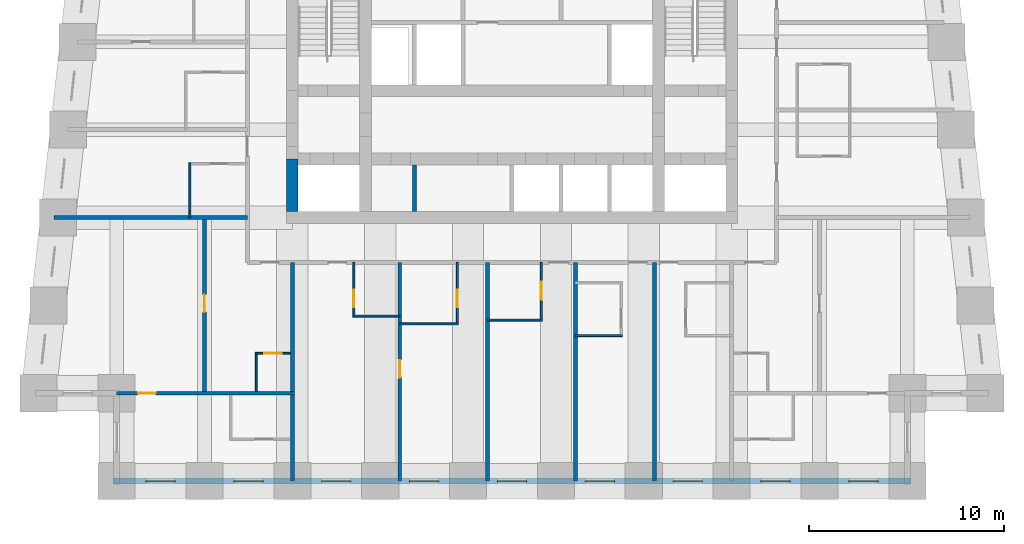
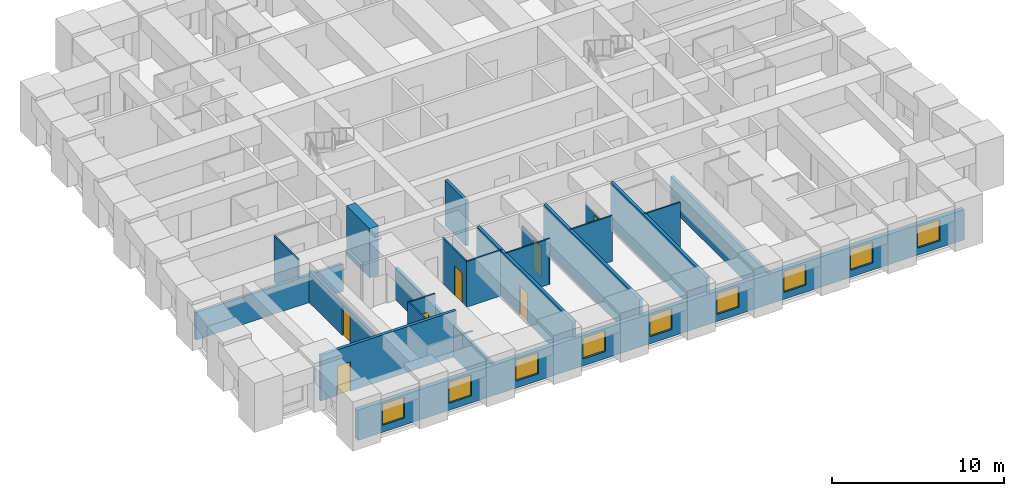
# One storey, part 2 of 8: 21 walls, 9 windows, 7 doors, 16 openings.
"""IFC4 building model written with IfcOpenShell, lengths in metres."""

from ifc_helpers import new_model, si_unit, direction, frame, frame_2d, origin, place, context, subcontext, project, spatial, rectangle, extrude, material, layer, layer_set, type_object, element, fill, save


model = new_model("IFC4")

# Units and contexts
model_context = context("Model", 3, precision=1e-05, world=origin(), true_north=direction((0.0, 1.0)))
body_context = subcontext(model_context, "Body", "Model", "MODEL_VIEW")
ifc_project = project(units=[si_unit("LENGTHUNIT", "METRE"), si_unit("AREAUNIT", "SQUARE_METRE"), si_unit("VOLUMEUNIT", "CUBIC_METRE"), si_unit("PLANEANGLEUNIT", "RADIAN"), si_unit("MASSUNIT", "GRAM", prefix="KILO")], contexts=[model_context])

# Site, building, storey
site_placement = place(None, origin())
site = spatial("IfcSite", under=ifc_project, at=site_placement, CompositionType="ELEMENT")
building_placement = place(site_placement, origin())
building = spatial("IfcBuilding", under=site, at=building_placement, Name="Kilele Tower Hotel", CompositionType="ELEMENT")
storey_placement = place(building_placement, frame((0.0, 0.0, 121.39990234375)))
storey = spatial("IfcBuildingStorey", under=building, at=storey_placement, Name="L31", CompositionType="ELEMENT", Elevation=121.39990234375)

# Wall
ifc_material_1 = material(Name="Moisture-resistant board")
ifc_layer_1 = layer(ifc_material_1, 0.10009765625)
ifc_layer_set_1 = layer_set([ifc_layer_1], Name="Moisture-resistant board")
wall_type_1 = type_object("IfcWallType", Name="Bathroom partition 100", PredefinedType="PLUMBINGWALL", material=ifc_layer_set_1)
wall_1_placement = place(storey_placement, frame((16.60009765625, 8.449951171875, 0.0), z_axis=(0.0, 0.0, 1.0), x_axis=(1.0, 0.0, 0.0)))
element("IfcWall", 1, at=wall_1_placement, inside=storey, type_object=wall_type_1, Name="Bathroom partition 100 L31", PredefinedType="PLUMBINGWALL", context=body_context, shape_type="SweptSolid", body=[
    extrude(rectangle(XDim=2.39990234375, YDim=0.10009765625, at=frame_2d((1.199951171875, 0.0))), origin(), (0.0, 0.0, 1.0), 3.25),
])

# Wall, opening, door
wall_2_placement = place(storey_placement, frame((16.64990234375, 11.199951171875, 0.0), z_axis=(0.0, 0.0, 1.0), x_axis=(0.0, -1.0, 0.0)))
wall_2 = element("IfcWall", 2, at=wall_2_placement, inside=storey, type_object=wall_type_1, Name="Bathroom partition 100 L31", PredefinedType="PLUMBINGWALL", context=body_context, shape_type="SweptSolid", body=[
    extrude(rectangle(XDim=2.800048828125, YDim=0.10009765625, at=frame_2d((1.39990234375, 0.0))), origin(), (0.0, 0.0, 1.0), 3.25),
])
opening_1_placement = place(wall_2_placement, frame((2.2998046875, 0.0, 0.0), z_axis=(0.0, 0.0, 1.0), x_axis=(-1.0, 0.0, 0.0)))
opening_1 = element("IfcOpeningElement", 3, at=opening_1_placement, cuts=wall_2, Name="Opening D2A", PredefinedType="OPENING", context=body_context, shape_type="SweptSolid", body=[
    extrude(rectangle(XDim=0.89990234375, YDim=2.10009765625, at=frame_2d((0.449951171875, 1.050048828125))), frame((0.0, 0.06005859375, 0.0), z_axis=(0.0, -1.0, 0.0), x_axis=(1.0, 0.0, 0.0)), (0.0, 0.0, 1.0), 0.1201171875),
])
ifc_material_2 = material(Name="Timber door leaf in hardwood frame", Category="wood")
door_type_1 = type_object("IfcDoorType", Name="Bathroom door 900", OperationType="SINGLE_SWING_LEFT", PredefinedType="DOOR", material=ifc_material_2)
door_1_placement = place(opening_1_placement, origin())
door_1 = element("IfcDoor", 4, at=door_1_placement, inside=storey, type_object=door_type_1, Name="Bathroom door 3101B", OperationType="SINGLE_SWING_RIGHT", OverallHeight=2.10009765625, OverallWidth=0.89990234375, PredefinedType="DOOR", context=body_context, shape_type="SweptSolid", body=[
    extrude(rectangle(XDim=0.89990234375, YDim=2.10009765625, at=frame_2d((0.449951171875, 1.050048828125))), frame((0.0, 0.02490234375, 0.0), z_axis=(0.0, -1.0, 0.0), x_axis=(1.0, 0.0, 0.0)), (0.0, 0.0, 1.0), 0.050048828125),
])
fill(opening_1, door_1)

# Wall
wall_3_placement = place(storey_placement, frame((19.0, 8.050048828125, 0.0), z_axis=(0.0, 0.0, 1.0), x_axis=(1.0, 0.0, 0.0)))
element("IfcWall", 5, at=wall_3_placement, inside=storey, type_object=wall_type_1, Name="Bathroom partition 100 L31", PredefinedType="PLUMBINGWALL", context=body_context, shape_type="SweptSolid", body=[
    extrude(rectangle(XDim=3.0, YDim=0.10009765625, at=frame_2d((1.5, 0.0))), origin(), (0.0, 0.0, 1.0), 3.25),
])

# Wall, opening, door
wall_4_placement = place(storey_placement, frame((21.949951171875, 11.199951171875, 0.0), z_axis=(0.0, 0.0, 1.0), x_axis=(0.0, -1.0, 0.0)))
wall_4 = element("IfcWall", 6, at=wall_4_placement, inside=storey, type_object=wall_type_1, Name="Bathroom partition 100 L31", PredefinedType="PLUMBINGWALL", context=body_context, shape_type="SweptSolid", body=[
    extrude(rectangle(XDim=3.199951171875, YDim=0.10009765625, at=frame_2d((1.60009765625, 0.0))), origin(), (0.0, 0.0, 1.0), 2.25),
])
opening_2_placement = place(wall_4_placement, frame((1.39990234375, 0.0, 0.0)))
opening_2 = element("IfcOpeningElement", 7, at=opening_2_placement, cuts=wall_4, Name="Opening D2A", PredefinedType="OPENING", context=body_context, shape_type="SweptSolid", body=[
    extrude(rectangle(XDim=0.89990234375, YDim=2.10009765625, at=frame_2d((0.449951171875, 1.050048828125))), frame((0.0, 0.06005859375, 0.0), z_axis=(0.0, -1.0, 0.0), x_axis=(1.0, 0.0, 0.0)), (0.0, 0.0, 1.0), 0.1201171875),
])
door_2_placement = place(opening_2_placement, origin())
door_2 = element("IfcDoor", 8, at=door_2_placement, inside=storey, type_object=door_type_1, Name="Bathroom door 3102B", OperationType="SINGLE_SWING_LEFT", OverallHeight=2.10009765625, OverallWidth=0.89990234375, PredefinedType="DOOR", context=body_context, shape_type="SweptSolid", body=[
    extrude(rectangle(XDim=0.89990234375, YDim=2.10009765625, at=frame_2d((0.449951171875, 1.050048828125))), frame((0.0, 0.02490234375, 0.0), z_axis=(0.0, -1.0, 0.0), x_axis=(1.0, 0.0, 0.0)), (0.0, 0.0, 1.0), 0.050048828125),
])
fill(opening_2, door_2)

# Wall
wall_5_placement = place(storey_placement, frame((23.5, 8.25, 0.0), z_axis=(0.0, 0.0, 1.0), x_axis=(1.0, 0.0, 0.0)))
element("IfcWall", 9, at=wall_5_placement, inside=storey, type_object=wall_type_1, Name="Bathroom partition 100 L31", PredefinedType="PLUMBINGWALL", context=body_context, shape_type="SweptSolid", body=[
    extrude(rectangle(XDim=2.800048828125, YDim=0.10009765625, at=frame_2d((1.39990234375, 0.0))), origin(), (0.0, 0.0, 1.0), 3.25),
])

# Wall, opening, door
wall_6_placement = place(storey_placement, frame((26.25, 11.199951171875, 0.0), z_axis=(0.0, 0.0, 1.0), x_axis=(0.0, -1.0, 0.0)))
wall_6 = element("IfcWall", 10, at=wall_6_placement, inside=storey, type_object=wall_type_1, Name="Bathroom partition 100 L31", PredefinedType="PLUMBINGWALL", context=body_context, shape_type="SweptSolid", body=[
    extrude(rectangle(XDim=3.0, YDim=0.10009765625, at=frame_2d((1.5, 0.0))), origin(), (0.0, 0.0, 1.0), 2.25),
])
opening_3_placement = place(wall_6_placement, frame((1.0, 0.0, 0.0)))
opening_3 = element("IfcOpeningElement", 11, at=opening_3_placement, cuts=wall_6, Name="Opening D2A", PredefinedType="OPENING", context=body_context, shape_type="SweptSolid", body=[
    extrude(rectangle(XDim=0.89990234375, YDim=2.10009765625, at=frame_2d((0.449951171875, 1.050048828125))), frame((0.0, 0.06005859375, 0.0), z_axis=(0.0, -1.0, 0.0), x_axis=(1.0, 0.0, 0.0)), (0.0, 0.0, 1.0), 0.1201171875),
])
door_3_placement = place(opening_3_placement, origin())
door_3 = element("IfcDoor", 12, at=door_3_placement, inside=storey, type_object=door_type_1, Name="Bathroom door 3103B", OperationType="SINGLE_SWING_LEFT", OverallHeight=2.10009765625, OverallWidth=0.89990234375, PredefinedType="DOOR", context=body_context, shape_type="SweptSolid", body=[
    extrude(rectangle(XDim=0.89990234375, YDim=2.10009765625, at=frame_2d((0.449951171875, 1.050048828125))), frame((0.0, 0.02490234375, 0.0), z_axis=(0.0, -1.0, 0.0), x_axis=(1.0, 0.0, 0.0)), (0.0, 0.0, 1.0), 0.050048828125),
])
fill(opening_3, door_3)

# Walls
wall_7_placement = place(storey_placement, frame((28.0, 7.449951171875, 0.0), z_axis=(0.0, 0.0, 1.0), x_axis=(1.0, 0.0, 0.0)))
element("IfcWall", 13, at=wall_7_placement, inside=storey, type_object=wall_type_1, Name="Bathroom partition 100 L31", PredefinedType="PLUMBINGWALL", context=body_context, shape_type="SweptSolid", body=[
    extrude(rectangle(XDim=2.39990234375, YDim=0.10009765625, at=frame_2d((1.199951171875, 0.0))), origin(), (0.0, 0.0, 1.0), 3.25),
])
wall_8_placement = place(storey_placement, frame((8.25, 13.5, 0.0), z_axis=(0.0, 0.0, 1.0), x_axis=(0.0, 1.0, 0.0)))
element("IfcWall", 14, at=wall_8_placement, inside=storey, type_object=wall_type_1, Name="Bathroom partition 100 L31", PredefinedType="PLUMBINGWALL", context=body_context, shape_type="SweptSolid", body=[
    extrude(rectangle(XDim=2.800048828125, YDim=0.10009765625, at=frame_2d((1.39990234375, 0.0))), origin(), (0.0, 0.0, 1.0), 3.25),
])
wall_9_placement = place(storey_placement, frame((11.64990234375, 4.60009765625, 0.0), z_axis=(0.0, 0.0, 1.0), x_axis=(0.0, 1.0, 0.0)))
element("IfcWall", 15, at=wall_9_placement, inside=storey, type_object=wall_type_1, Name="Bathroom partition 100 L31", PredefinedType="PLUMBINGWALL", context=body_context, shape_type="SweptSolid", body=[
    extrude(rectangle(XDim=2.0, YDim=0.10009765625, at=frame_2d((1.0, 0.0))), origin(), (0.0, 0.0, 1.0), 3.25),
])

# Wall, opening, door
wall_10_placement = place(storey_placement, frame((13.39990234375, 6.550048828125, 0.0), z_axis=(0.0, 0.0, 1.0), x_axis=(-1.0, 0.0, 0.0)))
wall_10 = element("IfcWall", 16, at=wall_10_placement, inside=storey, type_object=wall_type_1, Name="Bathroom partition 100 L31", PredefinedType="PLUMBINGWALL", context=body_context, shape_type="SweptSolid", body=[
    extrude(rectangle(XDim=1.7998046875, YDim=0.10009765625, at=frame_2d((0.89990234375, 0.0))), origin(), (0.0, 0.0, 1.0), 3.25),
])
opening_4_placement = place(wall_10_placement, frame((1.349853515625, 0.0, 0.0), z_axis=(0.0, 0.0, 1.0), x_axis=(-1.0, 0.0, 0.0)))
opening_4 = element("IfcOpeningElement", 17, at=opening_4_placement, cuts=wall_10, Name="Opening D2A", PredefinedType="OPENING", context=body_context, shape_type="SweptSolid", body=[
    extrude(rectangle(XDim=0.89990234375, YDim=2.10009765625, at=frame_2d((0.449951171875, 1.050048828125))), frame((0.0, 0.06005859375, 0.0), z_axis=(0.0, -1.0, 0.0), x_axis=(1.0, 0.0, 0.0)), (0.0, 0.0, 1.0), 0.1201171875),
])
door_4_placement = place(opening_4_placement, origin())
door_4 = element("IfcDoor", 18, at=door_4_placement, inside=storey, type_object=door_type_1, Name="Bathroom door 3117P", OperationType="SINGLE_SWING_RIGHT", OverallHeight=2.10009765625, OverallWidth=0.89990234375, PredefinedType="DOOR", context=body_context, shape_type="SweptSolid", body=[
    extrude(rectangle(XDim=0.89990234375, YDim=2.10009765625, at=frame_2d((0.449951171875, 1.050048828125))), frame((0.0, 0.02490234375, 0.0), z_axis=(0.0, -1.0, 0.0), x_axis=(1.0, 0.0, 0.0)), (0.0, 0.0, 1.0), 0.050048828125),
])
fill(opening_4, door_4)

# Wall
ifc_material_3 = material(Name="Concrete C60/75", Category="concrete")
ifc_layer_2 = layer(ifc_material_3, 0.60009765625)
ifc_layer_set_2 = layer_set([ifc_layer_2], Name="Concrete C60/75")
wall_type_2 = type_object("IfcWallType", Name="Core wall 600 C60/75", PredefinedType="SHEAR", material=ifc_layer_set_2)
wall_11_placement = place(storey_placement, frame((13.5, 16.5, 0.0), z_axis=(0.0, 0.0, 1.0), x_axis=(0.0, -1.0, 0.0)))
element("IfcWall", 19, at=wall_11_placement, inside=storey, type_object=wall_type_2, Name="Core wall W3 L31", PredefinedType="SHEAR", context=body_context, shape_type="SweptSolid", body=[
    extrude(rectangle(XDim=2.699951171875, YDim=0.60009765625, at=frame_2d((1.35009765625, 0.0))), origin(), (0.0, 0.0, 1.0), 3.5),
])

# Wall, opening, door
ifc_material_4 = material(Name="Blockwork, plastered both sides", Category="masonry")
ifc_layer_3 = layer(ifc_material_4, 0.199951171875)
ifc_layer_set_3 = layer_set([ifc_layer_3], Name="Blockwork, plastered both sides")
wall_type_3 = type_object("IfcWallType", Name="Partition wall 200", PredefinedType="PARTITIONING", material=ifc_layer_set_3)
wall_12_placement = place(storey_placement, frame((9.0, 4.60009765625, 0.0), z_axis=(0.0, 0.0, 1.0), x_axis=(0.0, 1.0, 0.0)))
wall_12 = element("IfcWall", 20, at=wall_12_placement, inside=storey, type_object=wall_type_3, Name="Partition wall 200 L31", PredefinedType="PARTITIONING", context=body_context, shape_type="SweptSolid", body=[
    extrude(rectangle(XDim=8.7998046875, YDim=0.199951171875, at=frame_2d((4.39990234375, 0.0))), origin(), (0.0, 0.0, 1.0), 2.25),
])
opening_5_placement = place(wall_12_placement, frame((4.050048828125, 0.0, 0.0)))
opening_5 = element("IfcOpeningElement", 21, at=opening_5_placement, cuts=wall_12, Name="Opening D3", PredefinedType="OPENING", context=body_context, shape_type="SweptSolid", body=[
    extrude(rectangle(XDim=0.89990234375, YDim=2.10009765625, at=frame_2d((0.449951171875, 1.050048828125))), frame((0.0, 0.10986328125, 0.0), z_axis=(0.0, -1.0, 0.0), x_axis=(1.0, 0.0, 0.0)), (0.0, 0.0, 1.0), 0.219970703125),
])
ifc_material_5 = material(Name="Timber door leaf in hardwood frame", Category="wood")
door_type_2 = type_object("IfcDoorType", Name="Suite internal door 900", OperationType="SINGLE_SWING_LEFT", PredefinedType="DOOR", material=ifc_material_5)
door_5_placement = place(opening_5_placement, origin())
door_5 = element("IfcDoor", 22, at=door_5_placement, inside=storey, type_object=door_type_2, Name="Suite door 3118", OperationType="SINGLE_SWING_RIGHT", OverallHeight=2.10009765625, OverallWidth=0.89990234375, PredefinedType="DOOR", context=body_context, shape_type="SweptSolid", body=[
    extrude(rectangle(XDim=0.89990234375, YDim=2.10009765625, at=frame_2d((0.449951171875, 1.050048828125))), frame((0.0, 0.02490234375, 0.0), z_axis=(0.0, -1.0, 0.0), x_axis=(1.0, 0.0, 0.0)), (0.0, 0.0, 1.0), 0.050048828125),
])
fill(opening_5, door_5)

ifc_material_6 = material(Name="Blockwork, plastered both sides", Category="masonry")
ifc_layer_4 = layer(ifc_material_6, 0.199951171875)
ifc_layer_set_4 = layer_set([ifc_layer_4], Name="Blockwork, plastered both sides")
wall_type_4 = type_object("IfcWallType", Name="Party wall 200", PredefinedType="PARTITIONING", material=ifc_layer_set_4)
wall_13_placement = place(storey_placement, frame((19.0, 11.199951171875, 0.0), z_axis=(0.0, 0.0, 1.0), x_axis=(0.0, -1.0, 0.0)))
wall_13 = element("IfcWall", 23, at=wall_13_placement, inside=storey, type_object=wall_type_4, Name="Party wall 200 L31", PredefinedType="PARTITIONING", context=body_context, shape_type="SweptSolid", body=[
    extrude(rectangle(XDim=11.199951171875, YDim=0.199951171875, at=frame_2d((5.60009765625, 0.0))), origin(), (0.0, 0.0, 1.0), 3.25),
])
opening_6_placement = place(wall_13_placement, frame((5.0, 0.0, 0.0)))
opening_6 = element("IfcOpeningElement", 24, at=opening_6_placement, cuts=wall_13, Name="Opening D3", PredefinedType="OPENING", context=body_context, shape_type="SweptSolid", body=[
    extrude(rectangle(XDim=0.89990234375, YDim=2.10009765625, at=frame_2d((0.449951171875, 1.050048828125))), frame((0.0, 0.10986328125, 0.0), z_axis=(0.0, -1.0, 0.0), x_axis=(1.0, 0.0, 0.0)), (0.0, 0.0, 1.0), 0.219970703125),
])
door_6_placement = place(opening_6_placement, origin())
door_6 = element("IfcDoor", 25, at=door_6_placement, inside=storey, type_object=door_type_2, Name="Suite door 3102", OperationType="SINGLE_SWING_LEFT", OverallHeight=2.10009765625, OverallWidth=0.89990234375, PredefinedType="DOOR", context=body_context, shape_type="SweptSolid", body=[
    extrude(rectangle(XDim=0.89990234375, YDim=2.10009765625, at=frame_2d((0.449951171875, 1.050048828125))), frame((0.0, 0.02490234375, 0.0), z_axis=(0.0, -1.0, 0.0), x_axis=(1.0, 0.0, 0.0)), (0.0, 0.0, 1.0), 0.050048828125),
])
fill(opening_6, door_6)

# Walls
for number, where, z_axis, x_axis, name in (
    (26, (23.5, 11.199951171875, 0.0), (0.0, 0.0, 1.0), (0.0, -1.0, 0.0), "Party wall 200 L31"),
    (27, (28.0, 11.199951171875, 0.0), (0.0, 0.0, 1.0), (0.0, -1.0, 0.0), "Party wall 200 L31"),
):
    element("IfcWall", number, at=place(storey_placement, frame(where, z_axis=z_axis, x_axis=x_axis)), inside=storey, type_object=wall_type_4, Name=name, PredefinedType="PARTITIONING", context=body_context, shape_type="SweptSolid", body=[
        extrude(rectangle(XDim=11.199951171875, YDim=0.199951171875, at=frame_2d((5.60009765625, 0.0))), origin(), (0.0, 0.0, 1.0), 3.25),
    ])
wall_14_placement = place(storey_placement, frame((32.050048828125, 11.199951171875, 0.0), z_axis=(0.0, 0.0, 1.0), x_axis=(0.0, -1.0, 0.0)))
element("IfcWall", 28, at=wall_14_placement, inside=storey, type_object=wall_type_4, Name="Party wall 200 L31", PredefinedType="PARTITIONING", context=body_context, shape_type="SweptSolid", body=[
    extrude(rectangle(XDim=11.199951171875, YDim=0.199951171875, at=frame_2d((5.60009765625, 0.0))), origin(), (0.0, 0.0, 1.0), 2.25),
])
wall_15_placement = place(storey_placement, frame((11.199951171875, 13.5, 0.0), z_axis=(0.0, 0.0, 1.0), x_axis=(-1.0, 0.0, 0.0)))
element("IfcWall", 29, at=wall_15_placement, inside=storey, type_object=wall_type_4, Name="Party wall 200 L31", PredefinedType="PARTITIONING", context=body_context, shape_type="SweptSolid", body=[
    extrude(rectangle(XDim=9.921142578125, YDim=0.199951171875, at=frame_2d((4.96044921875, 0.0))), origin(), (0.0, 0.0, 1.0), 1.9501953125),
])
wall_16_placement = place(storey_placement, frame((13.5, 11.199951171875, 0.0), z_axis=(0.0, 0.0, 1.0), x_axis=(0.0, -1.0, 0.0)))
element("IfcWall", 30, at=wall_16_placement, inside=storey, type_object=wall_type_4, Name="Party wall 200 L31", PredefinedType="PARTITIONING", context=body_context, shape_type="SweptSolid", body=[
    extrude(rectangle(XDim=11.199951171875, YDim=0.199951171875, at=frame_2d((5.60009765625, 0.0))), origin(), (0.0, 0.0, 1.0), 2.25),
])

# Wall, opening, door
wall_17_placement = place(storey_placement, frame((13.60009765625, 4.5, 0.0), z_axis=(0.0, 0.0, 1.0), x_axis=(-1.0, 0.0, 0.0)))
wall_17 = element("IfcWall", 31, at=wall_17_placement, inside=storey, type_object=wall_type_4, Name="Party wall 200 L31", PredefinedType="PARTITIONING", context=body_context, shape_type="SweptSolid", body=[
    extrude(rectangle(XDim=9.10009765625, YDim=0.199951171875, at=frame_2d((4.550048828125, 0.0))), origin(), (0.0, 0.0, 1.0), 3.25),
])
opening_7_placement = place(wall_17_placement, frame((7.10009765625, 0.0, 0.0)))
opening_7 = element("IfcOpeningElement", 32, at=opening_7_placement, cuts=wall_17, Name="Opening D3", PredefinedType="OPENING", context=body_context, shape_type="SweptSolid", body=[
    extrude(rectangle(XDim=0.89990234375, YDim=2.10009765625, at=frame_2d((0.449951171875, 1.050048828125))), frame((0.0, 0.10986328125, 0.0), z_axis=(0.0, -1.0, 0.0), x_axis=(1.0, 0.0, 0.0)), (0.0, 0.0, 1.0), 0.219970703125),
])
door_7_placement = place(opening_7_placement, origin())
door_7 = element("IfcDoor", 33, at=door_7_placement, inside=storey, type_object=door_type_2, Name="Suite door 3119", OperationType="SINGLE_SWING_RIGHT", OverallHeight=2.10009765625, OverallWidth=0.89990234375, PredefinedType="DOOR", context=body_context, shape_type="SweptSolid", body=[
    extrude(rectangle(XDim=0.89990234375, YDim=2.10009765625, at=frame_2d((0.449951171875, 1.050048828125))), frame((0.0, 0.02490234375, 0.0), z_axis=(0.0, -1.0, 0.0), x_axis=(1.0, 0.0, 0.0)), (0.0, 0.0, 1.0), 0.050048828125),
])
fill(opening_7, door_7)

# Wall, openings, windows
ifc_material_7 = material(Name="Concrete C40/50 precast", Category="concrete")
ifc_layer_5 = layer(ifc_material_7, 0.260009765625, Name="Precast backing", Category="LoadBearing")
ifc_material_8 = material(Name="Reconstituted stone finish", Category="masonry")
ifc_layer_6 = layer(ifc_material_8, 0.0400390625, Name="Face mix", Category="Finish")
ifc_layer_set_5 = layer_set([ifc_layer_5, ifc_layer_6], Name="Precast concrete C40/50, reconstituted stone finish")
wall_type_5 = type_object("IfcWallType", Name="Precast stone facade wall 300", PredefinedType="STANDARD", material=ifc_layer_set_5)
wall_18_placement = place(storey_placement, frame((4.35009765625, 0.0, 0.0), z_axis=(0.0, 0.0, 1.0), x_axis=(1.0, 0.0, 0.0)))
wall_18 = element("IfcWall", 34, at=wall_18_placement, inside=storey, type_object=wall_type_5, Name="Facade wall L31 edge 3", PredefinedType="STANDARD", context=body_context, shape_type="SweptSolid", body=[
    extrude(rectangle(XDim=40.7998046875, YDim=0.300048828125, at=frame_2d((20.39990234375, 0.0))), origin(), (0.0, 0.0, 1.0), 2.150146484375),
])
opening_8_placement = place(wall_18_placement, frame((1.64990234375, 0.0, 0.5)))
opening_8 = element("IfcOpeningElement", 35, at=opening_8_placement, cuts=wall_18, Name="Opening W2", PredefinedType="OPENING", context=body_context, shape_type="SweptSolid", body=[
    extrude(rectangle(XDim=1.5, YDim=1.5, at=frame_2d((0.75, 0.75))), frame((0.0, 0.159912109375, 0.0), z_axis=(0.0, -1.0, 0.0), x_axis=(1.0, 0.0, 0.0)), (0.0, 0.0, 1.0), 0.320068359375),
])
opening_9_placement = place(wall_18_placement, frame((6.14990234375, 0.0, 0.5)))
opening_9 = element("IfcOpeningElement", 36, at=opening_9_placement, cuts=wall_18, Name="Opening W2", PredefinedType="OPENING", context=body_context, shape_type="SweptSolid", body=[
    extrude(rectangle(XDim=1.5, YDim=1.5, at=frame_2d((0.75, 0.75))), frame((0.0, 0.159912109375, 0.0), z_axis=(0.0, -1.0, 0.0), x_axis=(1.0, 0.0, 0.0)), (0.0, 0.0, 1.0), 0.320068359375),
])
opening_10_placement = place(wall_18_placement, frame((10.64990234375, 0.0, 0.5)))
opening_10 = element("IfcOpeningElement", 37, at=opening_10_placement, cuts=wall_18, Name="Opening W2", PredefinedType="OPENING", context=body_context, shape_type="SweptSolid", body=[
    extrude(rectangle(XDim=1.5, YDim=1.5, at=frame_2d((0.75, 0.75))), frame((0.0, 0.159912109375, 0.0), z_axis=(0.0, -1.0, 0.0), x_axis=(1.0, 0.0, 0.0)), (0.0, 0.0, 1.0), 0.320068359375),
])
opening_11_placement = place(wall_18_placement, frame((15.14990234375, 0.0, 0.5)))
opening_11 = element("IfcOpeningElement", 38, at=opening_11_placement, cuts=wall_18, Name="Opening W2", PredefinedType="OPENING", context=body_context, shape_type="SweptSolid", body=[
    extrude(rectangle(XDim=1.5, YDim=1.5, at=frame_2d((0.75, 0.75))), frame((0.0, 0.159912109375, 0.0), z_axis=(0.0, -1.0, 0.0), x_axis=(1.0, 0.0, 0.0)), (0.0, 0.0, 1.0), 0.320068359375),
])
opening_12_placement = place(wall_18_placement, frame((19.64990234375, 0.0, 0.5)))
opening_12 = element("IfcOpeningElement", 39, at=opening_12_placement, cuts=wall_18, Name="Opening W2", PredefinedType="OPENING", context=body_context, shape_type="SweptSolid", body=[
    extrude(rectangle(XDim=1.5, YDim=1.5, at=frame_2d((0.75, 0.75))), frame((0.0, 0.159912109375, 0.0), z_axis=(0.0, -1.0, 0.0), x_axis=(1.0, 0.0, 0.0)), (0.0, 0.0, 1.0), 0.320068359375),
])
opening_13_placement = place(wall_18_placement, frame((24.14990234375, 0.0, 0.5)))
opening_13 = element("IfcOpeningElement", 40, at=opening_13_placement, cuts=wall_18, Name="Opening W2", PredefinedType="OPENING", context=body_context, shape_type="SweptSolid", body=[
    extrude(rectangle(XDim=1.5, YDim=1.5, at=frame_2d((0.75, 0.75))), frame((0.0, 0.159912109375, 0.0), z_axis=(0.0, -1.0, 0.0), x_axis=(1.0, 0.0, 0.0)), (0.0, 0.0, 1.0), 0.320068359375),
])
opening_14_placement = place(wall_18_placement, frame((28.64990234375, 0.0, 0.5)))
opening_14 = element("IfcOpeningElement", 41, at=opening_14_placement, cuts=wall_18, Name="Opening W2", PredefinedType="OPENING", context=body_context, shape_type="SweptSolid", body=[
    extrude(rectangle(XDim=1.5, YDim=1.5, at=frame_2d((0.75, 0.75))), frame((0.0, 0.159912109375, 0.0), z_axis=(0.0, -1.0, 0.0), x_axis=(1.0, 0.0, 0.0)), (0.0, 0.0, 1.0), 0.320068359375),
])
opening_15_placement = place(wall_18_placement, frame((33.14990234375, 0.0, 0.5)))
opening_15 = element("IfcOpeningElement", 42, at=opening_15_placement, cuts=wall_18, Name="Opening W2", PredefinedType="OPENING", context=body_context, shape_type="SweptSolid", body=[
    extrude(rectangle(XDim=1.5, YDim=1.5, at=frame_2d((0.75, 0.75))), frame((0.0, 0.159912109375, 0.0), z_axis=(0.0, -1.0, 0.0), x_axis=(1.0, 0.0, 0.0)), (0.0, 0.0, 1.0), 0.320068359375),
])
opening_16_placement = place(wall_18_placement, frame((37.64990234375, 0.0, 0.5)))
opening_16 = element("IfcOpeningElement", 43, at=opening_16_placement, cuts=wall_18, Name="Opening W2", PredefinedType="OPENING", context=body_context, shape_type="SweptSolid", body=[
    extrude(rectangle(XDim=1.5, YDim=1.5, at=frame_2d((0.75, 0.75))), frame((0.0, 0.159912109375, 0.0), z_axis=(0.0, -1.0, 0.0), x_axis=(1.0, 0.0, 0.0)), (0.0, 0.0, 1.0), 0.320068359375),
])
ifc_material_9 = material(Name="Aluminium frame, clear double glazing", Category="aluminium")
window_type = type_object("IfcWindowType", Name="Window W2 1500 x 1500", PartitioningType="SINGLE_PANEL", PredefinedType="WINDOW", material=ifc_material_9)
window_1_placement = place(opening_8_placement, origin())
window_1 = element("IfcWindow", 44, at=window_1_placement, inside=storey, type_object=window_type, Name="Window L31", OverallHeight=1.5, OverallWidth=1.5, PartitioningType="SINGLE_PANEL", PredefinedType="WINDOW", context=body_context, shape_type="SweptSolid", body=[
    extrude(rectangle(XDim=1.5, YDim=1.5, at=frame_2d((0.75, 0.75))), frame((0.0, 0.030029296875, 0.0), z_axis=(0.0, -1.0, 0.0), x_axis=(1.0, 0.0, 0.0)), (0.0, 0.0, 1.0), 0.06005859375),
])
fill(opening_8, window_1)
window_2_placement = place(opening_9_placement, origin())
window_2 = element("IfcWindow", 45, at=window_2_placement, inside=storey, type_object=window_type, Name="Window L31", OverallHeight=1.5, OverallWidth=1.5, PartitioningType="SINGLE_PANEL", PredefinedType="WINDOW", context=body_context, shape_type="SweptSolid", body=[
    extrude(rectangle(XDim=1.5, YDim=1.5, at=frame_2d((0.75, 0.75))), frame((0.0, 0.030029296875, 0.0), z_axis=(0.0, -1.0, 0.0), x_axis=(1.0, 0.0, 0.0)), (0.0, 0.0, 1.0), 0.06005859375),
])
fill(opening_9, window_2)
window_3_placement = place(opening_10_placement, origin())
window_3 = element("IfcWindow", 46, at=window_3_placement, inside=storey, type_object=window_type, Name="Window L31", OverallHeight=1.5, OverallWidth=1.5, PartitioningType="SINGLE_PANEL", PredefinedType="WINDOW", context=body_context, shape_type="SweptSolid", body=[
    extrude(rectangle(XDim=1.5, YDim=1.5, at=frame_2d((0.75, 0.75))), frame((0.0, 0.030029296875, 0.0), z_axis=(0.0, -1.0, 0.0), x_axis=(1.0, 0.0, 0.0)), (0.0, 0.0, 1.0), 0.06005859375),
])
fill(opening_10, window_3)
window_4_placement = place(opening_11_placement, origin())
window_4 = element("IfcWindow", 47, at=window_4_placement, inside=storey, type_object=window_type, Name="Window L31", OverallHeight=1.5, OverallWidth=1.5, PartitioningType="SINGLE_PANEL", PredefinedType="WINDOW", context=body_context, shape_type="SweptSolid", body=[
    extrude(rectangle(XDim=1.5, YDim=1.5, at=frame_2d((0.75, 0.75))), frame((0.0, 0.030029296875, 0.0), z_axis=(0.0, -1.0, 0.0), x_axis=(1.0, 0.0, 0.0)), (0.0, 0.0, 1.0), 0.06005859375),
])
fill(opening_11, window_4)
window_5_placement = place(opening_12_placement, origin())
window_5 = element("IfcWindow", 48, at=window_5_placement, inside=storey, type_object=window_type, Name="Window L31", OverallHeight=1.5, OverallWidth=1.5, PartitioningType="SINGLE_PANEL", PredefinedType="WINDOW", context=body_context, shape_type="SweptSolid", body=[
    extrude(rectangle(XDim=1.5, YDim=1.5, at=frame_2d((0.75, 0.75))), frame((0.0, 0.030029296875, 0.0), z_axis=(0.0, -1.0, 0.0), x_axis=(1.0, 0.0, 0.0)), (0.0, 0.0, 1.0), 0.06005859375),
])
fill(opening_12, window_5)
window_6_placement = place(opening_13_placement, origin())
window_6 = element("IfcWindow", 49, at=window_6_placement, inside=storey, type_object=window_type, Name="Window L31", OverallHeight=1.5, OverallWidth=1.5, PartitioningType="SINGLE_PANEL", PredefinedType="WINDOW", context=body_context, shape_type="SweptSolid", body=[
    extrude(rectangle(XDim=1.5, YDim=1.5, at=frame_2d((0.75, 0.75))), frame((0.0, 0.030029296875, 0.0), z_axis=(0.0, -1.0, 0.0), x_axis=(1.0, 0.0, 0.0)), (0.0, 0.0, 1.0), 0.06005859375),
])
fill(opening_13, window_6)
window_7_placement = place(opening_14_placement, origin())
window_7 = element("IfcWindow", 50, at=window_7_placement, inside=storey, type_object=window_type, Name="Window L31", OverallHeight=1.5, OverallWidth=1.5, PartitioningType="SINGLE_PANEL", PredefinedType="WINDOW", context=body_context, shape_type="SweptSolid", body=[
    extrude(rectangle(XDim=1.5, YDim=1.5, at=frame_2d((0.75, 0.75))), frame((0.0, 0.030029296875, 0.0), z_axis=(0.0, -1.0, 0.0), x_axis=(1.0, 0.0, 0.0)), (0.0, 0.0, 1.0), 0.06005859375),
])
fill(opening_14, window_7)
window_8_placement = place(opening_15_placement, origin())
window_8 = element("IfcWindow", 51, at=window_8_placement, inside=storey, type_object=window_type, Name="Window L31", OverallHeight=1.5, OverallWidth=1.5, PartitioningType="SINGLE_PANEL", PredefinedType="WINDOW", context=body_context, shape_type="SweptSolid", body=[
    extrude(rectangle(XDim=1.5, YDim=1.5, at=frame_2d((0.75, 0.75))), frame((0.0, 0.030029296875, 0.0), z_axis=(0.0, -1.0, 0.0), x_axis=(1.0, 0.0, 0.0)), (0.0, 0.0, 1.0), 0.06005859375),
])
fill(opening_15, window_8)
window_9_placement = place(opening_16_placement, origin())
window_9 = element("IfcWindow", 52, at=window_9_placement, inside=storey, type_object=window_type, Name="Window L31", OverallHeight=1.5, OverallWidth=1.5, PartitioningType="SINGLE_PANEL", PredefinedType="WINDOW", context=body_context, shape_type="SweptSolid", body=[
    extrude(rectangle(XDim=1.5, YDim=1.5, at=frame_2d((0.75, 0.75))), frame((0.0, 0.030029296875, 0.0), z_axis=(0.0, -1.0, 0.0), x_axis=(1.0, 0.0, 0.0)), (0.0, 0.0, 1.0), 0.06005859375),
])
fill(opening_16, window_9)

# Wall
ifc_material_10 = material(Name="Blockwork, fire-rated", Category="masonry")
ifc_layer_7 = layer(ifc_material_10, 0.199951171875)
ifc_layer_set_6 = layer_set([ifc_layer_7], Name="Blockwork, fire-rated")
wall_type_6 = type_object("IfcWallType", Name="Shaft wall 200", PredefinedType="PARTITIONING", material=ifc_layer_set_6)
wall_19_placement = place(storey_placement, frame((19.75, 13.800048828125, 0.0), z_axis=(0.0, 0.0, 1.0), x_axis=(0.0, 1.0, 0.0)))
element("IfcWall", 53, at=wall_19_placement, inside=storey, type_object=wall_type_6, Name="Shaft wall 200 L31", PredefinedType="PARTITIONING", context=body_context, shape_type="SweptSolid", body=[
    extrude(rectangle(XDim=2.39990234375, YDim=0.199951171875, at=frame_2d((1.199951171875, 0.0))), origin(), (0.0, 0.0, 1.0), 3.25),
])

save(model, "model.ifc")
